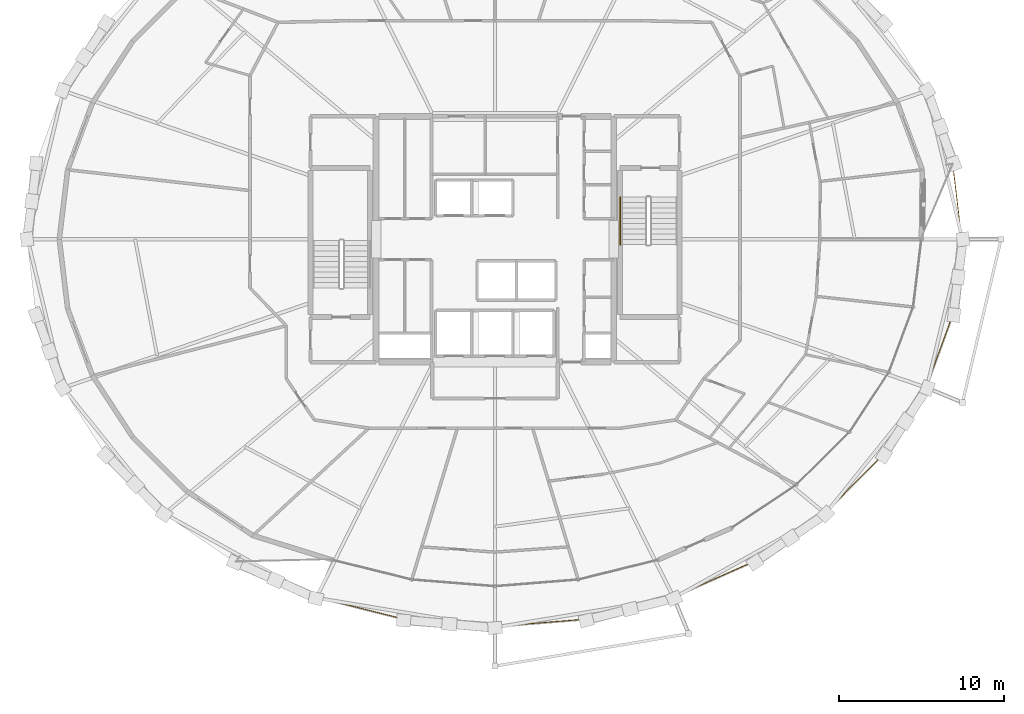
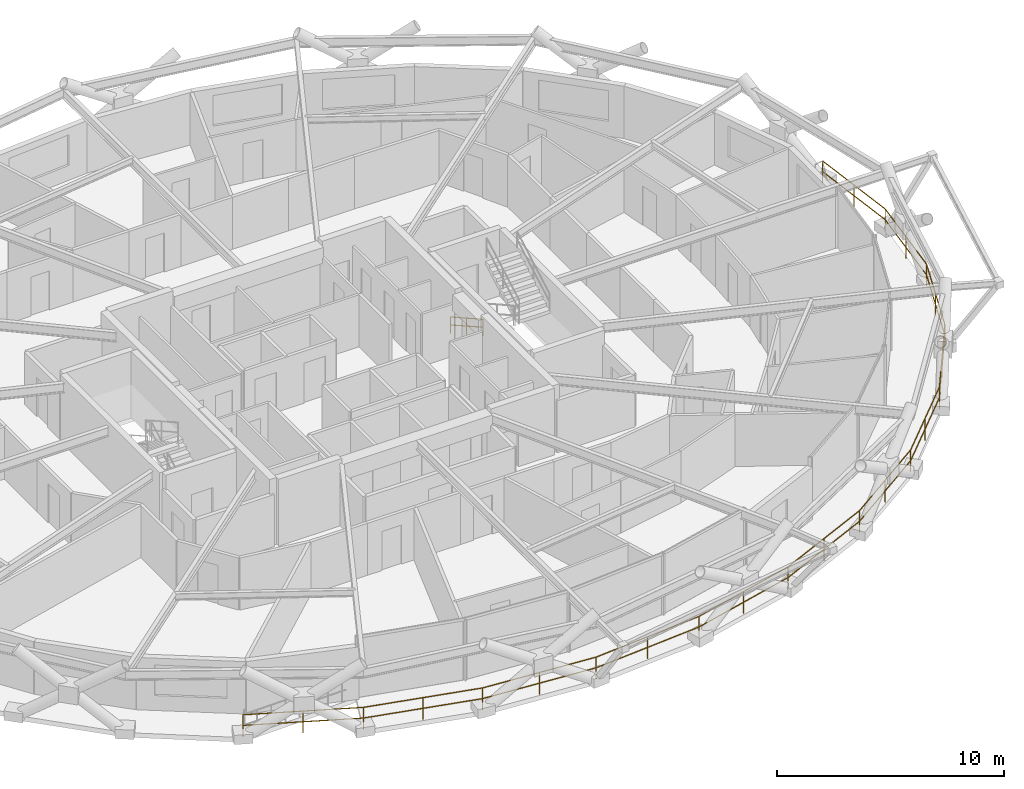
# One storey, part 21 of 22: 2 railings.
"""IFC4 building model written with IfcOpenShell, lengths in metres."""

from ifc_helpers import new_model, si_unit, direction, frame, origin, origin_2d, place, context, subcontext, project, spatial, circle, extrude, material, type_object, element, save


model = new_model("IFC4")

# Units and contexts
model_context = context("Model", 3, precision=1e-05, world=origin(), true_north=direction((0.0, 1.0)))
body_context = subcontext(model_context, "Body", "Model", "MODEL_VIEW")
ifc_project = project(units=[si_unit("LENGTHUNIT", "METRE"), si_unit("AREAUNIT", "SQUARE_METRE"), si_unit("VOLUMEUNIT", "CUBIC_METRE"), si_unit("PLANEANGLEUNIT", "RADIAN"), si_unit("MASSUNIT", "GRAM", prefix="KILO")], contexts=[model_context])

# Site, building, storey
site_placement = place(None, origin())
site = spatial("IfcSite", under=ifc_project, at=site_placement, CompositionType="ELEMENT")
building_placement = place(site_placement, origin())
building = spatial("IfcBuilding", under=site, at=building_placement, Name="Veldorina Hangang Commons", CompositionType="ELEMENT")
storey_placement = place(building_placement, frame((0.0, 0.0, 146.0)))
storey = spatial("IfcBuildingStorey", under=building, at=storey_placement, Name="L37", CompositionType="ELEMENT", Elevation=146.0)

# Railings
ifc_material_1 = material(Name="Glass Laminated Safety Balustrade", Category="glass")
railing_type_1 = type_object("IfcRailingType", Name="RL-BAL-LOGGIA", PredefinedType="BALUSTRADE", material=ifc_material_1)
railing_1_placement = place(storey_placement, frame((16.288330078125, 4.473388671875, 0.0)))
element("IfcRailing", 1, at=railing_1_placement, inside=storey, type_object=railing_type_1, Name="L37 sky-garden loggia outer balustrade", PredefinedType="BALUSTRADE", context=body_context, shape_type="SweptSolid", body=[
    extrude(circle(Radius=0.02392578125, at=origin_2d()), frame((0.0, 0.0, 1.17578125), z_axis=(0.914211981396, -0.405236292887, 0.0), x_axis=(0.405236292887, 0.914211981396, 0.0)), (0.0, 0.0, 1.0), 5.349365234375),
    extrude(circle(Radius=0.02392578125, at=origin_2d()), frame((0.0, 0.0, 0.60009765625), z_axis=(0.914211981396, -0.405236292887, 0.0), x_axis=(0.405236292887, 0.914211981396, 0.0)), (0.0, 0.0, 1.0), 5.349365234375),
    extrude(circle(Radius=0.02392578125, at=origin_2d()), frame((4.890380859375, -2.167724609375, 1.17578125), z_axis=(0.969789697587, -0.243942498252, 0.0), x_axis=(0.243942498252, 0.969789697587, 0.0)), (0.0, 0.0, 1.0), 5.470458984375),
    extrude(circle(Radius=0.02392578125, at=origin_2d()), frame((4.890380859375, -2.167724609375, 0.60009765625), z_axis=(0.969789697587, -0.243942498252, 0.0), x_axis=(0.243942498252, 0.969789697587, 0.0)), (0.0, 0.0, 1.0), 5.470458984375),
    extrude(circle(Radius=0.02392578125, at=origin_2d()), frame((10.195556640625, -3.502197265625, 1.17578125), z_axis=(0.996682498367, -0.081387944122, 0.0), x_axis=(0.081387944122, 0.996682498367, 0.0)), (0.0, 0.0, 1.0), 5.534423828125),
    extrude(circle(Radius=0.02392578125, at=origin_2d()), frame((10.195556640625, -3.502197265625, 0.60009765625), z_axis=(0.996682498367, -0.081387944122, 0.0), x_axis=(0.081387944122, 0.996682498367, 0.0)), (0.0, 0.0, 1.0), 5.534423828125),
    extrude(circle(Radius=0.02392578125, at=origin_2d()), frame((15.711669921875, -3.95263671875, 1.17578125), z_axis=(0.996682498367, 0.081387944122, 0.0), x_axis=(-0.081387944122, 0.996682498367, 0.0)), (0.0, 0.0, 1.0), 5.534423828125),
    extrude(circle(Radius=0.02392578125, at=origin_2d()), frame((15.711669921875, -3.95263671875, 0.60009765625), z_axis=(0.996682498367, 0.081387944122, 0.0), x_axis=(-0.081387944122, 0.996682498367, 0.0)), (0.0, 0.0, 1.0), 5.534423828125),
    extrude(circle(Radius=0.02392578125, at=origin_2d()), frame((21.227783203125, -3.502197265625, 1.17578125), z_axis=(0.969789697587, 0.243942498252, 0.0), x_axis=(-0.243942498252, 0.969789697587, 0.0)), (0.0, 0.0, 1.0), 5.470458984375),
    extrude(circle(Radius=0.02392578125, at=origin_2d()), frame((21.227783203125, -3.502197265625, 0.60009765625), z_axis=(0.969789697587, 0.243942498252, 0.0), x_axis=(-0.243942498252, 0.969789697587, 0.0)), (0.0, 0.0, 1.0), 5.470458984375),
    extrude(circle(Radius=0.02392578125, at=origin_2d()), frame((26.532958984375, -2.167724609375, 1.17578125), z_axis=(0.914211981396, 0.405236292887, 0.0), x_axis=(-0.405236292887, 0.914211981396, 0.0)), (0.0, 0.0, 1.0), 5.349365234375),
    extrude(circle(Radius=0.02392578125, at=origin_2d()), frame((26.532958984375, -2.167724609375, 0.60009765625), z_axis=(0.914211981396, 0.405236292887, 0.0), x_axis=(-0.405236292887, 0.914211981396, 0.0)), (0.0, 0.0, 1.0), 5.349365234375),
    extrude(circle(Radius=0.02392578125, at=origin_2d()), frame((31.42333984375, 0.0, 1.17578125), z_axis=(0.826660272808, 0.562701335844, 0.0), x_axis=(-0.562701335844, 0.826660272808, 0.0)), (0.0, 0.0, 1.0), 5.18701171875),
    extrude(circle(Radius=0.02392578125, at=origin_2d()), frame((31.42333984375, 0.0, 0.60009765625), z_axis=(0.826660272808, 0.562701335844, 0.0), x_axis=(-0.562701335844, 0.826660272808, 0.0)), (0.0, 0.0, 1.0), 5.18701171875),
    extrude(circle(Radius=0.02392578125, at=origin_2d()), frame((35.711181640625, 2.918701171875, 1.17578125), z_axis=(0.70329153976, 0.710901547404, 0.0), x_axis=(-0.710901547404, 0.70329153976, 0.0)), (0.0, 0.0, 1.0), 5.004638671875),
    extrude(circle(Radius=0.02392578125, at=origin_2d()), frame((35.711181640625, 2.918701171875, 0.60009765625), z_axis=(0.70329153976, 0.710901547404, 0.0), x_axis=(-0.710901547404, 0.70329153976, 0.0)), (0.0, 0.0, 1.0), 5.004638671875),
    extrude(circle(Radius=0.02392578125, at=origin_2d()), frame((39.23095703125, 6.4765625, 1.17578125), z_axis=(0.541602918292, 0.840634450221, 0.0), x_axis=(-0.840634450221, 0.541602918292, 0.0)), (0.0, 0.0, 1.0), 4.830078125),
    extrude(circle(Radius=0.02392578125, at=origin_2d()), frame((39.23095703125, 6.4765625, 0.60009765625), z_axis=(0.541602918292, 0.840634450221, 0.0), x_axis=(-0.840634450221, 0.541602918292, 0.0)), (0.0, 0.0, 1.0), 4.830078125),
    extrude(circle(Radius=0.02392578125, at=origin_2d()), frame((41.846923828125, 10.536865234375, 1.17578125), z_axis=(0.343430418087, 0.939178123645, 0.0), x_axis=(-0.939178123645, 0.343430418087, 0.0)), (0.0, 0.0, 1.0), 4.69189453125),
    extrude(circle(Radius=0.02392578125, at=origin_2d()), frame((41.846923828125, 10.536865234375, 0.60009765625), z_axis=(0.343430418087, 0.939178123645, 0.0), x_axis=(-0.939178123645, 0.343430418087, 0.0)), (0.0, 0.0, 1.0), 4.69189453125),
    extrude(circle(Radius=0.02392578125, at=origin_2d()), frame((43.458251953125, 14.943359375, 1.17578125), z_axis=(0.117853988318, 0.993030934784, 0.0), x_axis=(-0.993030934784, 0.117853988318, 0.0)), (0.0, 0.0, 1.0), 4.615478515625),
    extrude(circle(Radius=0.02392578125, at=origin_2d()), frame((43.458251953125, 14.943359375, 0.60009765625), z_axis=(0.117853988318, 0.993030934784, 0.0), x_axis=(-0.993030934784, 0.117853988318, 0.0)), (0.0, 0.0, 1.0), 4.615478515625),
    extrude(circle(Radius=0.02392578125, at=origin_2d()), frame((44.002197265625, 19.526611328125, 1.17578125), z_axis=(-0.117853988318, 0.993030934784, 0.0), x_axis=(-0.993030934784, -0.117853988318, 0.0)), (0.0, 0.0, 1.0), 4.615478515625),
    extrude(circle(Radius=0.02392578125, at=origin_2d()), frame((44.002197265625, 19.526611328125, 0.60009765625), z_axis=(-0.117853988318, 0.993030934784, 0.0), x_axis=(-0.993030934784, -0.117853988318, 0.0)), (0.0, 0.0, 1.0), 4.615478515625),
    extrude(circle(Radius=0.02099609375, at=origin_2d()), origin(), (0.0, 0.0, 1.0), 1.15185546875),
    extrude(circle(Radius=0.02099609375, at=origin_2d()), frame((2.4453125, -1.083984375, 0.0)), (0.0, 0.0, 1.0), 1.15185546875),
    extrude(circle(Radius=0.02099609375, at=origin_2d()), frame((4.890380859375, -2.167724609375, 0.0)), (0.0, 0.0, 1.0), 1.15185546875),
    extrude(circle(Radius=0.02099609375, at=origin_2d()), frame((7.54296875, -2.8349609375, 0.0)), (0.0, 0.0, 1.0), 1.15185546875),
    extrude(circle(Radius=0.02099609375, at=origin_2d()), frame((10.195556640625, -3.502197265625, 0.0)), (0.0, 0.0, 1.0), 1.15185546875),
    extrude(circle(Radius=0.02099609375, at=origin_2d()), frame((12.95361328125, -3.7275390625, 0.0)), (0.0, 0.0, 1.0), 1.15185546875),
    extrude(circle(Radius=0.02099609375, at=origin_2d()), frame((15.711669921875, -3.95263671875, 0.0)), (0.0, 0.0, 1.0), 1.15185546875),
    extrude(circle(Radius=0.02099609375, at=origin_2d()), frame((18.4697265625, -3.7275390625, 0.0)), (0.0, 0.0, 1.0), 1.15185546875),
    extrude(circle(Radius=0.02099609375, at=origin_2d()), frame((21.227783203125, -3.502197265625, 0.0)), (0.0, 0.0, 1.0), 1.15185546875),
    extrude(circle(Radius=0.02099609375, at=origin_2d()), frame((23.88037109375, -2.8349609375, 0.0)), (0.0, 0.0, 1.0), 1.15185546875),
    extrude(circle(Radius=0.02099609375, at=origin_2d()), frame((26.532958984375, -2.167724609375, 0.0)), (0.0, 0.0, 1.0), 1.15185546875),
    extrude(circle(Radius=0.02099609375, at=origin_2d()), frame((28.97802734375, -1.083984375, 0.0)), (0.0, 0.0, 1.0), 1.15185546875),
    extrude(circle(Radius=0.02099609375, at=origin_2d()), frame((31.42333984375, 0.0, 0.0)), (0.0, 0.0, 1.0), 1.15185546875),
    extrude(circle(Radius=0.02099609375, at=origin_2d()), frame((33.5673828125, 1.45947265625, 0.0)), (0.0, 0.0, 1.0), 1.15185546875),
    extrude(circle(Radius=0.02099609375, at=origin_2d()), frame((35.711181640625, 2.918701171875, 0.0)), (0.0, 0.0, 1.0), 1.15185546875),
    extrude(circle(Radius=0.02099609375, at=origin_2d()), frame((37.47119140625, 4.69775390625, 0.0)), (0.0, 0.0, 1.0), 1.15185546875),
    extrude(circle(Radius=0.02099609375, at=origin_2d()), frame((39.23095703125, 6.4765625, 0.0)), (0.0, 0.0, 1.0), 1.15185546875),
    extrude(circle(Radius=0.02099609375, at=origin_2d()), frame((40.5390625, 8.5068359375, 0.0)), (0.0, 0.0, 1.0), 1.15185546875),
    extrude(circle(Radius=0.02099609375, at=origin_2d()), frame((41.846923828125, 10.536865234375, 0.0)), (0.0, 0.0, 1.0), 1.15185546875),
    extrude(circle(Radius=0.02099609375, at=origin_2d()), frame((42.652587890625, 12.740234375, 0.0)), (0.0, 0.0, 1.0), 1.15185546875),
    extrude(circle(Radius=0.02099609375, at=origin_2d()), frame((43.458251953125, 14.943359375, 0.0)), (0.0, 0.0, 1.0), 1.15185546875),
    extrude(circle(Radius=0.02099609375, at=origin_2d()), frame((43.730224609375, 17.23486328125, 0.0)), (0.0, 0.0, 1.0), 1.15185546875),
    extrude(circle(Radius=0.02099609375, at=origin_2d()), frame((44.002197265625, 19.526611328125, 0.0)), (0.0, 0.0, 1.0), 1.15185546875),
    extrude(circle(Radius=0.02099609375, at=origin_2d()), frame((43.730224609375, 21.818359375, 0.0)), (0.0, 0.0, 1.0), 1.15185546875),
    extrude(circle(Radius=0.02099609375, at=origin_2d()), frame((43.458251953125, 24.10986328125, 0.0)), (0.0, 0.0, 1.0), 1.15185546875),
])
ifc_material_2 = material(Name="Stainless Steel Brushed 316", Category="steel")
railing_type_2 = type_object("IfcRailingType", Name="RL-HND-STAIR", PredefinedType="HANDRAIL", material=ifc_material_2)
railing_2_placement = place(storey_placement, frame((39.60009765625, 26.550048828125, 0.179931640625)))
element("IfcRailing", 2, at=railing_2_placement, inside=storey, type_object=railing_type_2, Name="L37 ST-2 stair handrail 1", PredefinedType="HANDRAIL", context=body_context, shape_type="SweptSolid", body=[
    extrude(circle(Radius=0.02392578125, at=origin_2d()), frame((0.0, 0.0, 0.8759765625), z_axis=(0.0, -0.871569617843, 0.490271762652), x_axis=(1.0, 0.0, 0.0)), (0.0, 0.0, 1.0), 3.304443359375),
    extrude(circle(Radius=0.02392578125, at=origin_2d()), frame((0.0, 0.0, 0.449951171875), z_axis=(0.0, -0.871569617843, 0.490271762652), x_axis=(1.0, 0.0, 0.0)), (0.0, 0.0, 1.0), 3.304443359375),
    extrude(circle(Radius=0.02099609375, at=origin_2d()), origin(), (0.0, 0.0, 1.0), 0.851806640625),
    extrude(circle(Radius=0.02099609375, at=origin_2d()), frame((0.0, -1.43994140625, 0.81005859375)), (0.0, 0.0, 1.0), 0.851806640625),
    extrude(circle(Radius=0.02099609375, at=origin_2d()), frame((0.0, -2.880126953125, 1.6201171875)), (0.0, 0.0, 1.0), 0.851806640625),
])

save(model, "model.ifc")
